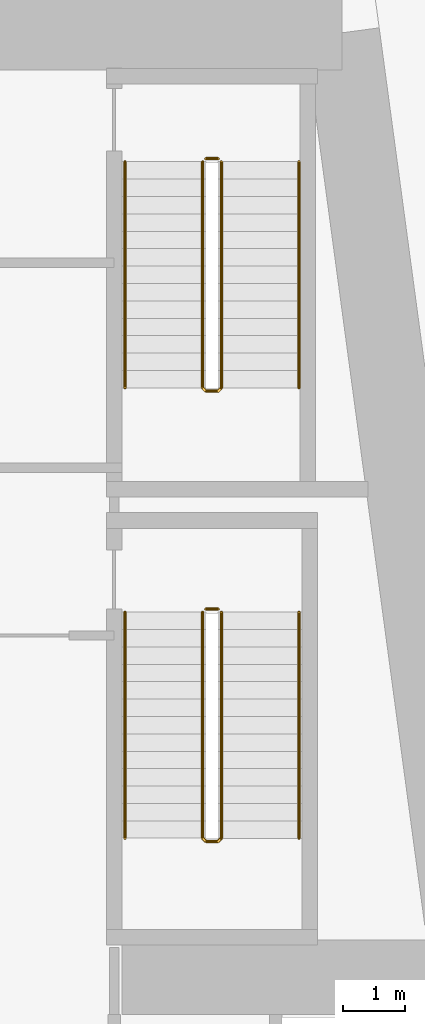
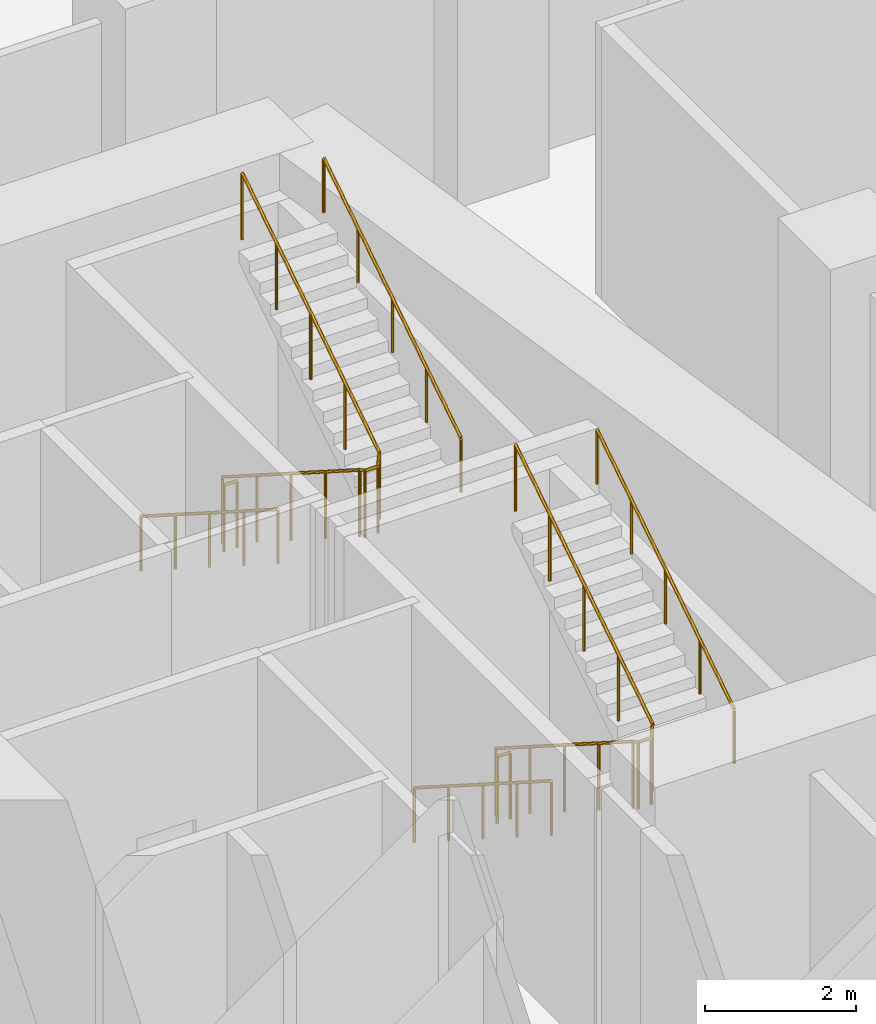
# One storey, part 29 of 33: 8 railings.
"""IFC4 building model written with IfcOpenShell, lengths in metres."""

import ifcopenshell
import ifcopenshell.guid

model = None  # the IFC model being written
_history = None  # IfcOwnerHistory: only IFC2X3 demands one
_inside = {}  # id of a spatial element -> (the spatial element, [elements in it])
_under = {}  # id of a project, library or spatial element -> (it, [spatial elements below it])
_declared = {}  # id of a project -> (the project, [libraries it declares])
_typed = {}  # id of a type object -> (the type object, [elements of that type])
_made_of = {}  # id of a material, layer set ... -> (it, [elements and type objects made of it])


def new_model(schema):
    """Start an empty IFC model of exactly this schema.

    Asked for "IFC4X3", IfcOpenShell would pick the latest addendum, in which some entities
    have other attributes; the version numbers below select the first issue.
    IFC2X3 requires an IfcOwnerHistory on every rooted entity: one is made here for all.
    """
    global model, _history
    if schema == "IFC4X3":
        model = ifcopenshell.file(schema_version=(4, 3, 0, 0))
    else:
        model = ifcopenshell.file(schema=schema)
    _inside.clear()
    _under.clear()
    _declared.clear()
    _typed.clear()
    _made_of.clear()
    _history = None
    if model.schema == "IFC2X3":
        org = make("IfcOrganization", Name="unknown")
        user = make(
            "IfcPersonAndOrganization",
            ThePerson=make("IfcPerson", FamilyName="unknown"),
            TheOrganization=org,
        )
        app = make(
            "IfcApplication",
            ApplicationDeveloper=org,
            Version="unknown",
            ApplicationFullName="unknown",
            ApplicationIdentifier="unknown",
        )
        _history = make(
            "IfcOwnerHistory",
            OwningUser=user,
            OwningApplication=app,
            ChangeAction="ADDED",
            CreationDate=0,
        )
    return model


def make(cls, **values):
    """One entity of the class cls with the attributes given. An attribute that is None is left unset."""
    return model.create_entity(
        cls, **{name: value for name, value in values.items() if value is not None}
    )


def rooted(cls, **values):
    """An entity with a GlobalId (a new one), such as an element, a storey or a relation."""
    return make(cls, GlobalId=ifcopenshell.guid.new(), OwnerHistory=_history, **values)


def si_unit(unit_type, name, prefix=None):
    """IfcSIUnit, for example si_unit("LENGTHUNIT", "METRE", prefix="MILLI")."""
    return make("IfcSIUnit", UnitType=unit_type, Prefix=prefix, Name=name)


def assignment(units):
    """IfcUnitAssignment: the units of a project."""
    return None if units is None else make("IfcUnitAssignment", Units=units)


def point(xyz):
    """IfcCartesianPoint."""
    return None if xyz is None else make("IfcCartesianPoint", Coordinates=xyz)


def direction(xyz):
    """IfcDirection."""
    return None if xyz is None else make("IfcDirection", DirectionRatios=xyz)


def frame(location, z_axis=None, x_axis=None):
    """IfcAxis2Placement3D, a coordinate frame: its origin and axes. An axis left out is left unset."""
    return make(
        "IfcAxis2Placement3D",
        Location=point(location),
        Axis=direction(z_axis),
        RefDirection=direction(x_axis),
    )


def frame_2d(location, x_axis=None):
    """IfcAxis2Placement2D, a coordinate frame in the plane: its origin and x axis."""
    return make(
        "IfcAxis2Placement2D", Location=point(location), RefDirection=direction(x_axis)
    )


def origin():
    """The frame at (0, 0, 0) with its axes left unset."""
    return frame((0.0, 0.0, 0.0))


def origin_2d():
    """The frame at (0, 0) in the plane with its x axis left unset."""
    return frame_2d((0.0, 0.0))


def place(relative_to, where):
    """IfcLocalPlacement: puts the frame where relative to a parent placement (None: the world)."""
    return make(
        "IfcLocalPlacement", PlacementRelTo=relative_to, RelativePlacement=where
    )


def context(
    kind, dimensions, precision=None, world=None, true_north=None, identifier=None
):
    """IfcGeometricRepresentationContext, for example the 3D "Model" context."""
    return make(
        "IfcGeometricRepresentationContext",
        ContextIdentifier=identifier,
        ContextType=kind,
        CoordinateSpaceDimension=dimensions,
        Precision=precision,
        WorldCoordinateSystem=world,
        TrueNorth=true_north,
    )


def subcontext(parent, identifier, kind, view, scale=None):
    """IfcGeometricRepresentationSubContext, for example "Body" below "Model"."""
    return make(
        "IfcGeometricRepresentationSubContext",
        ContextIdentifier=identifier,
        ContextType=kind,
        ParentContext=parent,
        TargetScale=scale,
        TargetView=view,
    )


def project(units=None, contexts=None):
    """IfcProject with its units and contexts."""
    return rooted(
        "IfcProject",
        Name="project",
        RepresentationContexts=contexts,
        UnitsInContext=assignment(units),
    )


def spatial(cls, under=None, at=None, **own):
    """A site, building, storey or space (cls), placed at a placement, below another one or the project."""
    s = rooted(cls, ObjectPlacement=at, **own)
    if under is not None:
        _under.setdefault(under.id(), (under, []))[1].append(s)
    return s


def profile(cls, at=None, kind="AREA", **sizes):
    """A parametric profile (cls). Its sizes go by their IFC names, for example OverallWidth=200.0."""
    return make(cls, ProfileType=kind, Position=at, **sizes)


def circle(**sizes):
    """IfcCircleProfileDef."""
    return profile("IfcCircleProfileDef", **sizes)


def extrude(swept, where, along, depth):
    """IfcExtrudedAreaSolid: the profile swept, set in the frame where, extruded along a direction by depth."""
    return make(
        "IfcExtrudedAreaSolid",
        SweptArea=swept,
        Position=where,
        ExtrudedDirection=direction(along),
        Depth=depth,
    )


def shape(context_of_items, identifier, shape_type, items):
    """IfcShapeRepresentation: the items that make up one representation, for example the "Body"."""
    return make(
        "IfcShapeRepresentation",
        ContextOfItems=context_of_items,
        RepresentationIdentifier=identifier,
        RepresentationType=shape_type,
        Items=items,
    )


def material(Name=None, Category=None):
    """IfcMaterial."""
    return make("IfcMaterial", Name=Name, Category=Category)


def made_of(thing, what):
    """Note that an element or type object is made of a material, layer set ...; save() writes the relation."""
    if what is not None:
        _made_of.setdefault(what.id(), (what, []))[1].append(thing)
    return thing


def type_object(cls, material=None, **own):
    """A type object (cls), such as IfcWallType, which elements share."""
    return made_of(rooted(cls, **own), material)


def element(
    cls,
    number,
    at=None,
    inside=None,
    cuts=None,
    type_object=None,
    material=None,
    context=None,
    identifier="Body",
    shape_type=None,
    held_by="IfcProductDefinitionShape",
    body=None,
    shapes=None,
    **own,
):
    """One element of the class cls, such as IfcWall. Its Tag is "e" and its number.

    at: its placement. inside: the storey or other place that contains it. cuts: it is an
    opening in that element (IfcRelVoidsElement). A single representation is given by context,
    identifier, shape_type and body (its items); several are given by shapes. held_by: the class
    of the entity that holds the representations. save() writes the other relations.
    """
    e = rooted(cls, Tag="e%d" % number, ObjectPlacement=at, **own)
    if body is not None:
        shapes = [shape(context, identifier, shape_type, body)]
    if shapes is not None:
        e.Representation = make(held_by, Representations=shapes)
    if inside is not None:
        _inside.setdefault(inside.id(), (inside, []))[1].append(e)
    if cuts is not None:
        rooted(
            "IfcRelVoidsElement", RelatingBuildingElement=cuts, RelatedOpeningElement=e
        )
    if type_object is not None:
        _typed.setdefault(type_object.id(), (type_object, []))[1].append(e)
    return made_of(e, material)


def aggregate(whole, parts):
    """IfcRelAggregates: a whole, such as a stair, and the parts it consists of."""
    return rooted("IfcRelAggregates", RelatingObject=whole, RelatedObjects=parts)


def save(model, path):
    """Write the relations noted so far, then the file.

    IfcRelAggregates (storeys below a building ...), IfcRelContainedInSpatialStructure (elements
    in a storey), IfcRelDefinesByType, IfcRelAssociatesMaterial and IfcRelDeclares: one each for
    every whole, place, type object, material and project.
    """
    for whole, parts in _under.values():
        aggregate(whole, parts)
    for where, things in _inside.values():
        rooted(
            "IfcRelContainedInSpatialStructure",
            RelatedElements=things,
            RelatingStructure=where,
        )
    for kind, things in _typed.values():
        rooted("IfcRelDefinesByType", RelatedObjects=things, RelatingType=kind)
    for what, things in _made_of.values():
        rooted("IfcRelAssociatesMaterial", RelatedObjects=things, RelatingMaterial=what)
    for by, libraries in _declared.values():
        rooted("IfcRelDeclares", RelatingContext=by, RelatedDefinitions=libraries)
    model.write(path)


model = new_model("IFC4")

# Units and contexts
model_context = context("Model", 3, precision=1e-05, world=origin(), true_north=direction((0.0, 1.0)))
body_context = subcontext(model_context, "Body", "Model", "MODEL_VIEW")
ifc_project = project(units=[si_unit("LENGTHUNIT", "METRE"), si_unit("AREAUNIT", "SQUARE_METRE"), si_unit("VOLUMEUNIT", "CUBIC_METRE"), si_unit("PLANEANGLEUNIT", "RADIAN"), si_unit("MASSUNIT", "GRAM", prefix="KILO")], contexts=[model_context])

# Site, building, storey
site_placement = place(None, origin())
site = spatial("IfcSite", under=ifc_project, at=site_placement, CompositionType="ELEMENT")
building_placement = place(site_placement, origin())
building = spatial("IfcBuilding", under=site, at=building_placement, Name="Candeia Pilgrim Tower and Theatre", CompositionType="ELEMENT")
storey_placement = place(building_placement, frame((0.0, 0.0, 29.0)))
storey = spatial("IfcBuildingStorey", under=building, at=storey_placement, Name="L04", CompositionType="ELEMENT", Elevation=29.0)

# Railings
ifc_material_1 = material(Name="Stainless steel balustrade", Category="steel")
railing_type_1 = type_object("IfcRailingType", Name="RL-GUARD-1100", PredefinedType="GUARDRAIL", material=ifc_material_1)
railing_1_placement = place(storey_placement, frame((135.39794921875, 122.47509765625, 0.178466796875)))
element("IfcRailing", 1, at=railing_1_placement, inside=storey, type_object=railing_type_1, Name="L04 ST3 stair guard 1", PredefinedType="GUARDRAIL", context=body_context, shape_type="SweptSolid", body=[
    extrude(circle(Radius=0.02392578125, at=origin_2d()), frame((0.0, 0.0, 1.076171875), z_axis=(0.0, -0.843127859045, 0.537713132908), x_axis=(1.0, 0.0, 0.0)), (0.0, 0.0, 1.0), 4.3173828125),
    extrude(circle(Radius=0.02392578125, at=origin_2d()), frame((0.0, -3.64013671875, 3.3974609375), z_axis=(0.707106781187, -0.707106781187, 0.0), x_axis=(0.707106781187, 0.707106781187, 0.0)), (0.0, 0.0, 1.0), 0.07080078125),
    extrude(circle(Radius=0.02392578125, at=origin_2d()), frame((0.050048828125, -3.690185546875, 3.3974609375), z_axis=(1.0, 0.0, 0.0), x_axis=(0.0, 1.0, 0.0)), (0.0, 0.0, 1.0), 0.199951171875),
    extrude(circle(Radius=0.02392578125, at=origin_2d()), frame((0.25, -3.690185546875, 3.3974609375), z_axis=(0.260684529273, 0.260684529273, 0.929562882432), x_axis=(-0.707106781187, 0.707106781187, 0.0)), (0.0, 0.0, 1.0), 0.19189453125),
    extrude(circle(Radius=0.02392578125, at=origin_2d()), frame((0.300048828125, -3.64013671875, 3.576171875), z_axis=(0.0, 0.843127859045, 0.537713132908), x_axis=(-1.0, 0.0, 0.0)), (0.0, 0.0, 1.0), 4.3173828125),
    extrude(circle(Radius=0.02099609375, at=origin_2d()), origin(), (0.0, 0.0, 1.0), 1.052001953125),
    extrude(circle(Radius=0.02099609375, at=origin_2d()), frame((0.0, -0.91015625, 0.580322265625)), (0.0, 0.0, 1.0), 1.052001953125),
    extrude(circle(Radius=0.02099609375, at=origin_2d()), frame((0.0, -1.820068359375, 1.16064453125)), (0.0, 0.0, 1.0), 1.052001953125),
    extrude(circle(Radius=0.02099609375, at=origin_2d()), frame((0.0, -2.72998046875, 1.7412109375)), (0.0, 0.0, 1.0), 1.052001953125),
    extrude(circle(Radius=0.02099609375, at=origin_2d()), frame((0.0, -3.64013671875, 2.321533203125)), (0.0, 0.0, 1.0), 1.052001953125),
    extrude(circle(Radius=0.02099609375, at=origin_2d()), frame((0.050048828125, -3.690185546875, 2.321533203125)), (0.0, 0.0, 1.0), 1.052001953125),
    extrude(circle(Radius=0.02099609375, at=origin_2d()), frame((0.25, -3.690185546875, 2.321533203125)), (0.0, 0.0, 1.0), 1.052001953125),
    extrude(circle(Radius=0.02099609375, at=origin_2d()), frame((0.300048828125, -3.64013671875, 2.5)), (0.0, 0.0, 1.0), 1.052001953125),
    extrude(circle(Radius=0.02099609375, at=origin_2d()), frame((0.300048828125, -2.72998046875, 3.080322265625)), (0.0, 0.0, 1.0), 1.052001953125),
    extrude(circle(Radius=0.02099609375, at=origin_2d()), frame((0.300048828125, -1.820068359375, 3.66064453125)), (0.0, 0.0, 1.0), 1.052001953125),
    extrude(circle(Radius=0.02099609375, at=origin_2d()), frame((0.300048828125, -0.91015625, 4.2412109375)), (0.0, 0.0, 1.0), 1.052001953125),
    extrude(circle(Radius=0.02099609375, at=origin_2d()), frame((0.300048828125, 0.0, 4.821533203125)), (0.0, 0.0, 1.0), 1.052001953125),
])
railing_2_placement = place(storey_placement, frame((135.447998046875, 122.52490234375, 0.0)))
element("IfcRailing", 2, at=railing_2_placement, inside=storey, type_object=railing_type_1, Name="L04 ST3 stair guard 2", PredefinedType="GUARDRAIL", context=body_context, shape_type="SweptSolid", body=[
    extrude(circle(Radius=0.02392578125, at=origin_2d()), frame((0.0, 0.0, 1.076171875), z_axis=(1.0, 0.0, 0.0), x_axis=(0.0, 1.0, 0.0)), (0.0, 0.0, 1.0), 0.199951171875),
    extrude(circle(Radius=0.02099609375, at=origin_2d()), origin(), (0.0, 0.0, 1.0), 1.052001953125),
    extrude(circle(Radius=0.02099609375, at=origin_2d()), frame((0.199951171875, 0.0, 0.0)), (0.0, 0.0, 1.0), 1.052001953125),
])
railing_3_placement = place(storey_placement, frame((135.39794921875, 129.72509765625, 0.178466796875)))
element("IfcRailing", 3, at=railing_3_placement, inside=storey, type_object=railing_type_1, Name="L04 ST4 stair guard 1", PredefinedType="GUARDRAIL", context=body_context, shape_type="SweptSolid", body=[
    extrude(circle(Radius=0.02392578125, at=origin_2d()), frame((0.0, 0.0, 1.076171875), z_axis=(0.0, -0.843127859045, 0.537713132908), x_axis=(1.0, 0.0, 0.0)), (0.0, 0.0, 1.0), 4.3173828125),
    extrude(circle(Radius=0.02392578125, at=origin_2d()), frame((0.0, -3.64013671875, 3.3974609375), z_axis=(0.707106781187, -0.707106781187, 0.0), x_axis=(0.707106781187, 0.707106781187, 0.0)), (0.0, 0.0, 1.0), 0.07080078125),
    extrude(circle(Radius=0.02392578125, at=origin_2d()), frame((0.050048828125, -3.690185546875, 3.3974609375), z_axis=(1.0, 0.0, 0.0), x_axis=(0.0, 1.0, 0.0)), (0.0, 0.0, 1.0), 0.199951171875),
    extrude(circle(Radius=0.02392578125, at=origin_2d()), frame((0.25, -3.690185546875, 3.3974609375), z_axis=(0.260684529273, 0.260684529273, 0.929562882432), x_axis=(-0.707106781187, 0.707106781187, 0.0)), (0.0, 0.0, 1.0), 0.19189453125),
    extrude(circle(Radius=0.02392578125, at=origin_2d()), frame((0.300048828125, -3.64013671875, 3.576171875), z_axis=(0.0, 0.843127859045, 0.537713132908), x_axis=(-1.0, 0.0, 0.0)), (0.0, 0.0, 1.0), 4.3173828125),
    extrude(circle(Radius=0.02099609375, at=origin_2d()), origin(), (0.0, 0.0, 1.0), 1.052001953125),
    extrude(circle(Radius=0.02099609375, at=origin_2d()), frame((0.0, -0.91015625, 0.580322265625)), (0.0, 0.0, 1.0), 1.052001953125),
    extrude(circle(Radius=0.02099609375, at=origin_2d()), frame((0.0, -1.820068359375, 1.16064453125)), (0.0, 0.0, 1.0), 1.052001953125),
    extrude(circle(Radius=0.02099609375, at=origin_2d()), frame((0.0, -2.72998046875, 1.7412109375)), (0.0, 0.0, 1.0), 1.052001953125),
    extrude(circle(Radius=0.02099609375, at=origin_2d()), frame((0.0, -3.64013671875, 2.321533203125)), (0.0, 0.0, 1.0), 1.052001953125),
    extrude(circle(Radius=0.02099609375, at=origin_2d()), frame((0.050048828125, -3.690185546875, 2.321533203125)), (0.0, 0.0, 1.0), 1.052001953125),
    extrude(circle(Radius=0.02099609375, at=origin_2d()), frame((0.25, -3.690185546875, 2.321533203125)), (0.0, 0.0, 1.0), 1.052001953125),
    extrude(circle(Radius=0.02099609375, at=origin_2d()), frame((0.300048828125, -3.64013671875, 2.5)), (0.0, 0.0, 1.0), 1.052001953125),
    extrude(circle(Radius=0.02099609375, at=origin_2d()), frame((0.300048828125, -2.72998046875, 3.080322265625)), (0.0, 0.0, 1.0), 1.052001953125),
    extrude(circle(Radius=0.02099609375, at=origin_2d()), frame((0.300048828125, -1.820068359375, 3.66064453125)), (0.0, 0.0, 1.0), 1.052001953125),
    extrude(circle(Radius=0.02099609375, at=origin_2d()), frame((0.300048828125, -0.91015625, 4.2412109375)), (0.0, 0.0, 1.0), 1.052001953125),
    extrude(circle(Radius=0.02099609375, at=origin_2d()), frame((0.300048828125, 0.0, 4.821533203125)), (0.0, 0.0, 1.0), 1.052001953125),
])
railing_4_placement = place(storey_placement, frame((135.447998046875, 129.77490234375, 0.0)))
element("IfcRailing", 4, at=railing_4_placement, inside=storey, type_object=railing_type_1, Name="L04 ST4 stair guard 2", PredefinedType="GUARDRAIL", context=body_context, shape_type="SweptSolid", body=[
    extrude(circle(Radius=0.02392578125, at=origin_2d()), frame((0.0, 0.0, 1.076171875), z_axis=(1.0, 0.0, 0.0), x_axis=(0.0, 1.0, 0.0)), (0.0, 0.0, 1.0), 0.199951171875),
    extrude(circle(Radius=0.02099609375, at=origin_2d()), origin(), (0.0, 0.0, 1.0), 1.052001953125),
    extrude(circle(Radius=0.02099609375, at=origin_2d()), frame((0.199951171875, 0.0, 0.0)), (0.0, 0.0, 1.0), 1.052001953125),
])
ifc_material_2 = material(Name="Stainless steel handrail", Category="steel")
railing_type_2 = type_object("IfcRailingType", Name="RL-HANDRAIL-900", PredefinedType="HANDRAIL", material=ifc_material_2)
railing_5_placement = place(storey_placement, frame((134.14794921875, 122.47509765625, 0.178466796875)))
element("IfcRailing", 5, at=railing_5_placement, inside=storey, type_object=railing_type_2, Name="L04 ST3 stair handrail 1", PredefinedType="HANDRAIL", context=body_context, shape_type="SweptSolid", body=[
    extrude(circle(Radius=0.02392578125, at=origin_2d()), frame((0.0, 0.0, 0.8759765625), z_axis=(0.0, -0.843127859045, 0.537713132908), x_axis=(1.0, 0.0, 0.0)), (0.0, 0.0, 1.0), 4.3173828125),
    extrude(circle(Radius=0.02099609375, at=origin_2d()), origin(), (0.0, 0.0, 1.0), 0.851806640625),
    extrude(circle(Radius=0.02099609375, at=origin_2d()), frame((0.0, -0.91015625, 0.580322265625)), (0.0, 0.0, 1.0), 0.851806640625),
    extrude(circle(Radius=0.02099609375, at=origin_2d()), frame((0.0, -1.820068359375, 1.16064453125)), (0.0, 0.0, 1.0), 0.851806640625),
    extrude(circle(Radius=0.02099609375, at=origin_2d()), frame((0.0, -2.72998046875, 1.7412109375)), (0.0, 0.0, 1.0), 0.851806640625),
    extrude(circle(Radius=0.02099609375, at=origin_2d()), frame((0.0, -3.64013671875, 2.321533203125)), (0.0, 0.0, 1.0), 0.851806640625),
])
railing_6_placement = place(storey_placement, frame((136.947998046875, 118.8349609375, 2.678466796875)))
element("IfcRailing", 6, at=railing_6_placement, inside=storey, type_object=railing_type_2, Name="L04 ST3 stair handrail 2", PredefinedType="HANDRAIL", context=body_context, shape_type="SweptSolid", body=[
    extrude(circle(Radius=0.02392578125, at=origin_2d()), frame((0.0, 0.0, 0.8759765625), z_axis=(0.0, 0.843127859045, 0.537713132908), x_axis=(-1.0, 0.0, 0.0)), (0.0, 0.0, 1.0), 4.3173828125),
    extrude(circle(Radius=0.02099609375, at=origin_2d()), origin(), (0.0, 0.0, 1.0), 0.851806640625),
    extrude(circle(Radius=0.02099609375, at=origin_2d()), frame((0.0, 0.91015625, 0.580322265625)), (0.0, 0.0, 1.0), 0.851806640625),
    extrude(circle(Radius=0.02099609375, at=origin_2d()), frame((0.0, 1.820068359375, 1.16064453125)), (0.0, 0.0, 1.0), 0.851806640625),
    extrude(circle(Radius=0.02099609375, at=origin_2d()), frame((0.0, 2.72998046875, 1.7412109375)), (0.0, 0.0, 1.0), 0.851806640625),
    extrude(circle(Radius=0.02099609375, at=origin_2d()), frame((0.0, 3.64013671875, 2.321533203125)), (0.0, 0.0, 1.0), 0.851806640625),
])
railing_7_placement = place(storey_placement, frame((134.14794921875, 129.72509765625, 0.178466796875)))
element("IfcRailing", 7, at=railing_7_placement, inside=storey, type_object=railing_type_2, Name="L04 ST4 stair handrail 1", PredefinedType="HANDRAIL", context=body_context, shape_type="SweptSolid", body=[
    extrude(circle(Radius=0.02392578125, at=origin_2d()), frame((0.0, 0.0, 0.8759765625), z_axis=(0.0, -0.843127859045, 0.537713132908), x_axis=(1.0, 0.0, 0.0)), (0.0, 0.0, 1.0), 4.3173828125),
    extrude(circle(Radius=0.02099609375, at=origin_2d()), origin(), (0.0, 0.0, 1.0), 0.851806640625),
    extrude(circle(Radius=0.02099609375, at=origin_2d()), frame((0.0, -0.91015625, 0.580322265625)), (0.0, 0.0, 1.0), 0.851806640625),
    extrude(circle(Radius=0.02099609375, at=origin_2d()), frame((0.0, -1.820068359375, 1.16064453125)), (0.0, 0.0, 1.0), 0.851806640625),
    extrude(circle(Radius=0.02099609375, at=origin_2d()), frame((0.0, -2.72998046875, 1.7412109375)), (0.0, 0.0, 1.0), 0.851806640625),
    extrude(circle(Radius=0.02099609375, at=origin_2d()), frame((0.0, -3.64013671875, 2.321533203125)), (0.0, 0.0, 1.0), 0.851806640625),
])
railing_8_placement = place(storey_placement, frame((136.947998046875, 126.0849609375, 2.678466796875)))
element("IfcRailing", 8, at=railing_8_placement, inside=storey, type_object=railing_type_2, Name="L04 ST4 stair handrail 2", PredefinedType="HANDRAIL", context=body_context, shape_type="SweptSolid", body=[
    extrude(circle(Radius=0.02392578125, at=origin_2d()), frame((0.0, 0.0, 0.8759765625), z_axis=(0.0, 0.843127859045, 0.537713132908), x_axis=(-1.0, 0.0, 0.0)), (0.0, 0.0, 1.0), 4.3173828125),
    extrude(circle(Radius=0.02099609375, at=origin_2d()), origin(), (0.0, 0.0, 1.0), 0.851806640625),
    extrude(circle(Radius=0.02099609375, at=origin_2d()), frame((0.0, 0.91015625, 0.580322265625)), (0.0, 0.0, 1.0), 0.851806640625),
    extrude(circle(Radius=0.02099609375, at=origin_2d()), frame((0.0, 1.820068359375, 1.16064453125)), (0.0, 0.0, 1.0), 0.851806640625),
    extrude(circle(Radius=0.02099609375, at=origin_2d()), frame((0.0, 2.72998046875, 1.7412109375)), (0.0, 0.0, 1.0), 0.851806640625),
    extrude(circle(Radius=0.02099609375, at=origin_2d()), frame((0.0, 3.64013671875, 2.321533203125)), (0.0, 0.0, 1.0), 0.851806640625),
])

save(model, "model.ifc")
